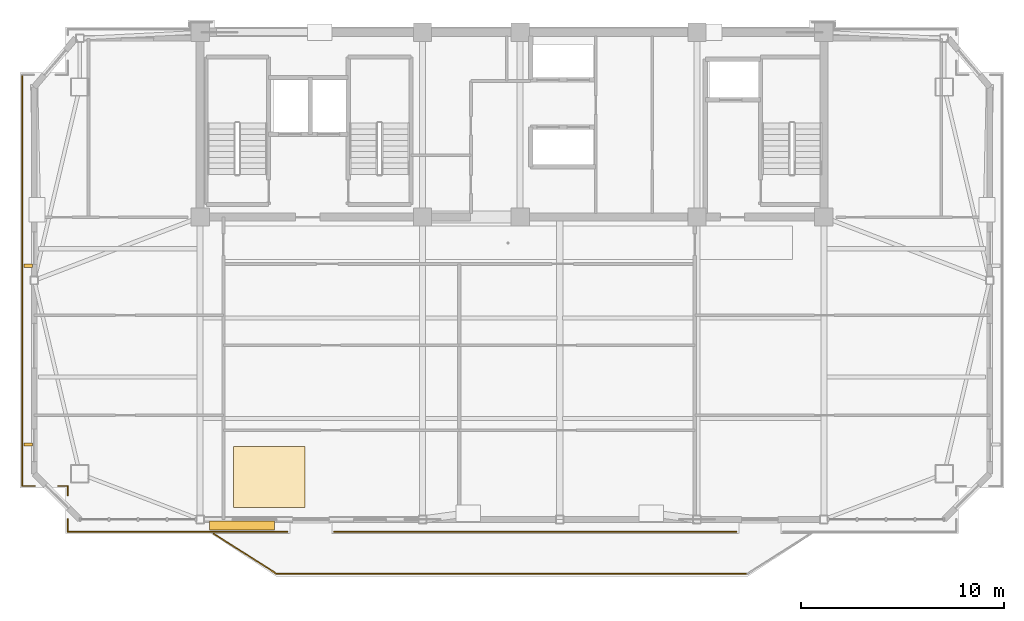
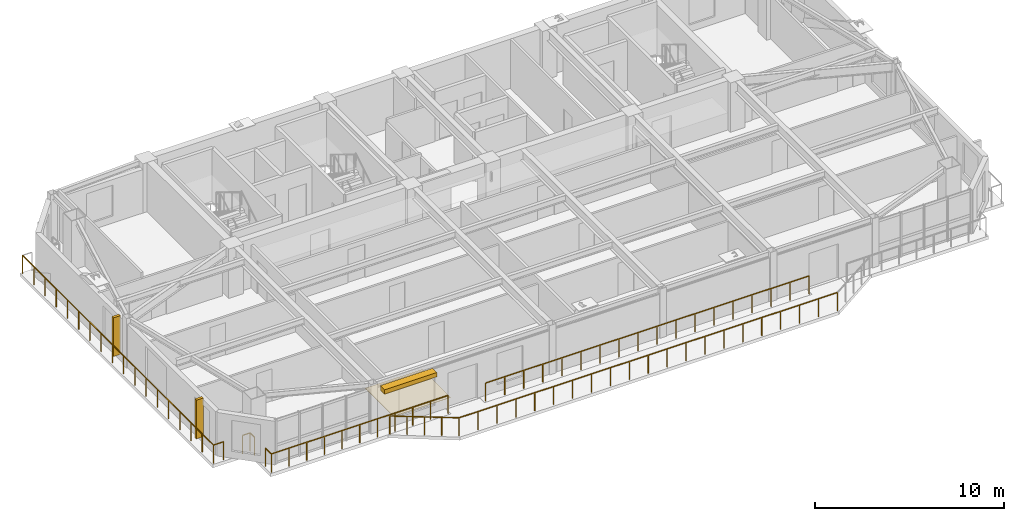
# One storey, part 10 of 13: 9 railings, 3 shading devices, 1 covering.
"""IFC4 building model written with IfcOpenShell, lengths in metres."""

from ifc_helpers import new_model, si_unit, direction, frame, origin, origin_2d, place, context, subcontext, project, spatial, polyline, rectangle, outline, extrude, source, transform, mapped, material, layer, layer_set, type_object, element, save


model = new_model("IFC4")

# Units and contexts
model_context = context("Model", 3, precision=1e-05, world=origin(), true_north=direction((0.0, 1.0)))
body_context = subcontext(model_context, "Body", "Model", "MODEL_VIEW")
ifc_project = project(units=[si_unit("LENGTHUNIT", "METRE"), si_unit("AREAUNIT", "SQUARE_METRE"), si_unit("VOLUMEUNIT", "CUBIC_METRE"), si_unit("PLANEANGLEUNIT", "RADIAN"), si_unit("MASSUNIT", "GRAM", prefix="KILO")], contexts=[model_context])

# Site, building, storey
site_placement = place(None, origin())
site = spatial("IfcSite", under=ifc_project, at=site_placement, CompositionType="ELEMENT")
building_placement = place(site_placement, origin())
building = spatial("IfcBuilding", under=site, at=building_placement, Name="Giltprow Tower", CompositionType="ELEMENT")
storey_placement = place(building_placement, frame((0.0, 0.0, 335.699951171875)))
storey = spatial("IfcBuildingStorey", under=building, at=storey_placement, Name="L87", CompositionType="ELEMENT", Elevation=335.699951171875)

# Covering
ifc_material_1 = material(Name="Engineered oak", Category="wood")
ifc_layer = layer(ifc_material_1, 0.02490234375, Name="Engineered oak")
ifc_layer_set = layer_set([ifc_layer], Name="Engineered oak")
covering_type = type_object("IfcCoveringType", Name="COV-FLR-TIMBER", PredefinedType="FLOORING", material=ifc_layer_set)
covering_placement = place(storey_placement, origin())
element("IfcCovering", 1, at=covering_placement, inside=storey, type_object=covering_type, Name="L87 Residence Oak Parquet Flooring", PredefinedType="FLOORING", context=body_context, shape_type="SweptSolid", body=[
    extrude(outline(polyline([(21.5, 23.16796875), (25.0, 23.16796875), (25.0, 26.16796875), (21.5, 26.16796875), (21.5, 23.16796875)])), origin(), (0.0, 0.0, 1.0), 0.025146484375),
])

# Railings
ifc_material_2 = material(Name="Anodized bronze", Category="metal")
railing_type = type_object("IfcRailingType", Name="RAIL-BALC-GUARD-1200", PredefinedType="BALUSTRADE", material=ifc_material_2)
railing_1_placement = place(storey_placement, frame((20.52001953125, 21.867919921875, 0.0)))
element("IfcRailing", 2, at=railing_1_placement, inside=storey, type_object=railing_type, Name="L87 Waterfront Balcony Balustrade Seg 1", PredefinedType="BALUSTRADE", context=body_context, shape_type="SweptSolid", body=[
    extrude(rectangle(XDim=0.048095703125, YDim=0.048095703125, at=origin_2d()), frame((0.0, 0.0, 1.17578125), z_axis=(0.84277487735, -0.538266203757, 0.0), x_axis=(0.538266203757, 0.84277487735, 0.0)), (0.0, 0.0, 1.0), 3.678466796875),
    extrude(rectangle(XDim=0.0419921875, YDim=0.0419921875, at=origin_2d()), origin(), (0.0, 0.0, 1.0), 1.15185546875),
    extrude(rectangle(XDim=0.0419921875, YDim=0.0419921875, at=origin_2d()), frame((0.77490234375, -0.4951171875, 0.0)), (0.0, 0.0, 1.0), 1.15185546875),
    extrude(rectangle(XDim=0.0419921875, YDim=0.0419921875, at=origin_2d()), frame((1.550048828125, -0.989990234375, 0.0)), (0.0, 0.0, 1.0), 1.15185546875),
    extrude(rectangle(XDim=0.0419921875, YDim=0.0419921875, at=origin_2d()), frame((2.3251953125, -1.48486328125, 0.0)), (0.0, 0.0, 1.0), 1.15185546875),
    extrude(rectangle(XDim=0.0419921875, YDim=0.0419921875, at=origin_2d()), frame((3.10009765625, -1.97998046875, 0.0)), (0.0, 0.0, 1.0), 1.15185546875),
])
railing_2_placement = place(storey_placement, frame((23.6201171875, 19.887939453125, 0.0)))
element("IfcRailing", 3, at=railing_2_placement, inside=storey, type_object=railing_type, Name="L87 Waterfront Balcony Balustrade Seg 2", PredefinedType="BALUSTRADE", context=body_context, shape_type="SweptSolid", body=[
    extrude(rectangle(XDim=0.048095703125, YDim=0.048095703125, at=origin_2d()), frame((0.0, 0.0, 1.17578125), z_axis=(1.0, 0.0, 0.0), x_axis=(0.0, 1.0, 0.0)), (0.0, 0.0, 1.0), 23.159912109375),
    extrude(rectangle(XDim=0.0419921875, YDim=0.0419921875, at=origin_2d()), origin(), (0.0, 0.0, 1.0), 1.15185546875),
    extrude(rectangle(XDim=0.0419921875, YDim=0.0419921875, at=origin_2d()), frame((1.157958984375, 0.0, 0.0)), (0.0, 0.0, 1.0), 1.15185546875),
    extrude(rectangle(XDim=0.0419921875, YDim=0.0419921875, at=origin_2d()), frame((2.31591796875, 0.0, 0.0)), (0.0, 0.0, 1.0), 1.15185546875),
    extrude(rectangle(XDim=0.0419921875, YDim=0.0419921875, at=origin_2d()), frame((3.473876953125, 0.0, 0.0)), (0.0, 0.0, 1.0), 1.15185546875),
    extrude(rectangle(XDim=0.0419921875, YDim=0.0419921875, at=origin_2d()), frame((4.632080078125, 0.0, 0.0)), (0.0, 0.0, 1.0), 1.15185546875),
    extrude(rectangle(XDim=0.0419921875, YDim=0.0419921875, at=origin_2d()), frame((5.7900390625, 0.0, 0.0)), (0.0, 0.0, 1.0), 1.15185546875),
    extrude(rectangle(XDim=0.0419921875, YDim=0.0419921875, at=origin_2d()), frame((6.947998046875, 0.0, 0.0)), (0.0, 0.0, 1.0), 1.15185546875),
    extrude(rectangle(XDim=0.0419921875, YDim=0.0419921875, at=origin_2d()), frame((8.10595703125, 0.0, 0.0)), (0.0, 0.0, 1.0), 1.15185546875),
    extrude(rectangle(XDim=0.0419921875, YDim=0.0419921875, at=origin_2d()), frame((9.263916015625, 0.0, 0.0)), (0.0, 0.0, 1.0), 1.15185546875),
    extrude(rectangle(XDim=0.0419921875, YDim=0.0419921875, at=origin_2d()), frame((10.421875, 0.0, 0.0)), (0.0, 0.0, 1.0), 1.15185546875),
    extrude(rectangle(XDim=0.0419921875, YDim=0.0419921875, at=origin_2d()), frame((11.580078125, 0.0, 0.0)), (0.0, 0.0, 1.0), 1.15185546875),
    extrude(rectangle(XDim=0.0419921875, YDim=0.0419921875, at=origin_2d()), frame((12.738037109375, 0.0, 0.0)), (0.0, 0.0, 1.0), 1.15185546875),
    extrude(rectangle(XDim=0.0419921875, YDim=0.0419921875, at=origin_2d()), frame((13.89599609375, 0.0, 0.0)), (0.0, 0.0, 1.0), 1.15185546875),
    extrude(rectangle(XDim=0.0419921875, YDim=0.0419921875, at=origin_2d()), frame((15.053955078125, 0.0, 0.0)), (0.0, 0.0, 1.0), 1.15185546875),
    extrude(rectangle(XDim=0.0419921875, YDim=0.0419921875, at=origin_2d()), frame((16.2119140625, 0.0, 0.0)), (0.0, 0.0, 1.0), 1.15185546875),
    extrude(rectangle(XDim=0.0419921875, YDim=0.0419921875, at=origin_2d()), frame((17.369873046875, 0.0, 0.0)), (0.0, 0.0, 1.0), 1.15185546875),
    extrude(rectangle(XDim=0.0419921875, YDim=0.0419921875, at=origin_2d()), frame((18.52783203125, 0.0, 0.0)), (0.0, 0.0, 1.0), 1.15185546875),
    extrude(rectangle(XDim=0.0419921875, YDim=0.0419921875, at=origin_2d()), frame((19.68603515625, 0.0, 0.0)), (0.0, 0.0, 1.0), 1.15185546875),
    extrude(rectangle(XDim=0.0419921875, YDim=0.0419921875, at=origin_2d()), frame((20.843994140625, 0.0, 0.0)), (0.0, 0.0, 1.0), 1.15185546875),
    extrude(rectangle(XDim=0.0419921875, YDim=0.0419921875, at=origin_2d()), frame((22.001953125, 0.0, 0.0)), (0.0, 0.0, 1.0), 1.15185546875),
    extrude(rectangle(XDim=0.0419921875, YDim=0.0419921875, at=origin_2d()), frame((23.159912109375, 0.0, 0.0)), (0.0, 0.0, 1.0), 1.15185546875),
])
railing_3_placement = place(storey_placement, frame((46.25, 21.968017578125, 0.0)))
element("IfcRailing", 4, at=railing_3_placement, inside=storey, type_object=railing_type, Name="L87 Corner Apron Edge Balustrade 7", PredefinedType="BALUSTRADE", context=body_context, shape_type="SweptSolid", body=[
    extrude(rectangle(XDim=0.048095703125, YDim=0.048095703125, at=origin_2d()), frame((0.0, 0.0, 1.17578125), z_axis=(-1.0, 0.0, 0.0), x_axis=(0.0, -1.0, 0.0)), (0.0, 0.0, 1.0), 19.800048828125),
    extrude(rectangle(XDim=0.0419921875, YDim=0.0419921875, at=origin_2d()), origin(), (0.0, 0.0, 1.0), 1.15185546875),
    extrude(rectangle(XDim=0.0419921875, YDim=0.0419921875, at=origin_2d()), frame((-1.164794921875, 0.0, 0.0)), (0.0, 0.0, 1.0), 1.15185546875),
    extrude(rectangle(XDim=0.0419921875, YDim=0.0419921875, at=origin_2d()), frame((-2.329345703125, 0.0, 0.0)), (0.0, 0.0, 1.0), 1.15185546875),
    extrude(rectangle(XDim=0.0419921875, YDim=0.0419921875, at=origin_2d()), frame((-3.494140625, 0.0, 0.0)), (0.0, 0.0, 1.0), 1.15185546875),
    extrude(rectangle(XDim=0.0419921875, YDim=0.0419921875, at=origin_2d()), frame((-4.658935546875, 0.0, 0.0)), (0.0, 0.0, 1.0), 1.15185546875),
    extrude(rectangle(XDim=0.0419921875, YDim=0.0419921875, at=origin_2d()), frame((-5.823486328125, 0.0, 0.0)), (0.0, 0.0, 1.0), 1.15185546875),
    extrude(rectangle(XDim=0.0419921875, YDim=0.0419921875, at=origin_2d()), frame((-6.98828125, 0.0, 0.0)), (0.0, 0.0, 1.0), 1.15185546875),
    extrude(rectangle(XDim=0.0419921875, YDim=0.0419921875, at=origin_2d()), frame((-8.153076171875, 0.0, 0.0)), (0.0, 0.0, 1.0), 1.15185546875),
    extrude(rectangle(XDim=0.0419921875, YDim=0.0419921875, at=origin_2d()), frame((-9.317626953125, 0.0, 0.0)), (0.0, 0.0, 1.0), 1.15185546875),
    extrude(rectangle(XDim=0.0419921875, YDim=0.0419921875, at=origin_2d()), frame((-10.482421875, 0.0, 0.0)), (0.0, 0.0, 1.0), 1.15185546875),
    extrude(rectangle(XDim=0.0419921875, YDim=0.0419921875, at=origin_2d()), frame((-11.64697265625, 0.0, 0.0)), (0.0, 0.0, 1.0), 1.15185546875),
    extrude(rectangle(XDim=0.0419921875, YDim=0.0419921875, at=origin_2d()), frame((-12.811767578125, 0.0, 0.0)), (0.0, 0.0, 1.0), 1.15185546875),
    extrude(rectangle(XDim=0.0419921875, YDim=0.0419921875, at=origin_2d()), frame((-13.9765625, 0.0, 0.0)), (0.0, 0.0, 1.0), 1.15185546875),
    extrude(rectangle(XDim=0.0419921875, YDim=0.0419921875, at=origin_2d()), frame((-15.14111328125, 0.0, 0.0)), (0.0, 0.0, 1.0), 1.15185546875),
    extrude(rectangle(XDim=0.0419921875, YDim=0.0419921875, at=origin_2d()), frame((-16.305908203125, 0.0, 0.0)), (0.0, 0.0, 1.0), 1.15185546875),
    extrude(rectangle(XDim=0.0419921875, YDim=0.0419921875, at=origin_2d()), frame((-17.470703125, 0.0, 0.0)), (0.0, 0.0, 1.0), 1.15185546875),
    extrude(rectangle(XDim=0.0419921875, YDim=0.0419921875, at=origin_2d()), frame((-18.63525390625, 0.0, 0.0)), (0.0, 0.0, 1.0), 1.15185546875),
    extrude(rectangle(XDim=0.0419921875, YDim=0.0419921875, at=origin_2d()), frame((-19.800048828125, 0.0, 0.0)), (0.0, 0.0, 1.0), 1.15185546875),
])
railing_4_placement = place(storey_placement, frame((24.14990234375, 21.968017578125, 0.0)))
element("IfcRailing", 5, at=railing_4_placement, inside=storey, type_object=railing_type, Name="L87 Corner Apron Edge Balustrade 8", PredefinedType="BALUSTRADE", context=body_context, shape_type="SweptSolid", body=[
    extrude(rectangle(XDim=0.048095703125, YDim=0.048095703125, at=origin_2d()), frame((0.0, 0.0, 1.17578125), z_axis=(-1.0, 0.0, 0.0), x_axis=(0.0, -1.0, 0.0)), (0.0, 0.0, 1.0), 10.81884765625),
    extrude(rectangle(XDim=0.0419921875, YDim=0.0419921875, at=origin_2d()), origin(), (0.0, 0.0, 1.0), 1.15185546875),
    extrude(rectangle(XDim=0.0419921875, YDim=0.0419921875, at=origin_2d()), frame((-1.081787109375, 0.0, 0.0)), (0.0, 0.0, 1.0), 1.15185546875),
    extrude(rectangle(XDim=0.0419921875, YDim=0.0419921875, at=origin_2d()), frame((-2.163818359375, 0.0, 0.0)), (0.0, 0.0, 1.0), 1.15185546875),
    extrude(rectangle(XDim=0.0419921875, YDim=0.0419921875, at=origin_2d()), frame((-3.24560546875, 0.0, 0.0)), (0.0, 0.0, 1.0), 1.15185546875),
    extrude(rectangle(XDim=0.0419921875, YDim=0.0419921875, at=origin_2d()), frame((-4.32763671875, 0.0, 0.0)), (0.0, 0.0, 1.0), 1.15185546875),
    extrude(rectangle(XDim=0.0419921875, YDim=0.0419921875, at=origin_2d()), frame((-5.409423828125, 0.0, 0.0)), (0.0, 0.0, 1.0), 1.15185546875),
    extrude(rectangle(XDim=0.0419921875, YDim=0.0419921875, at=origin_2d()), frame((-6.4912109375, 0.0, 0.0)), (0.0, 0.0, 1.0), 1.15185546875),
    extrude(rectangle(XDim=0.0419921875, YDim=0.0419921875, at=origin_2d()), frame((-7.5732421875, 0.0, 0.0)), (0.0, 0.0, 1.0), 1.15185546875),
    extrude(rectangle(XDim=0.0419921875, YDim=0.0419921875, at=origin_2d()), frame((-8.655029296875, 0.0, 0.0)), (0.0, 0.0, 1.0), 1.15185546875),
    extrude(rectangle(XDim=0.0419921875, YDim=0.0419921875, at=origin_2d()), frame((-9.737060546875, 0.0, 0.0)), (0.0, 0.0, 1.0), 1.15185546875),
    extrude(rectangle(XDim=0.0419921875, YDim=0.0419921875, at=origin_2d()), frame((-10.81884765625, 0.0, 0.0)), (0.0, 0.0, 1.0), 1.15185546875),
])
railing_5_placement = place(storey_placement, frame((13.3310546875, 21.968017578125, 0.0)))
element("IfcRailing", 6, at=railing_5_placement, inside=storey, type_object=railing_type, Name="L87 Corner Apron Edge Balustrade 9", PredefinedType="BALUSTRADE", context=body_context, shape_type="SweptSolid", body=[
    extrude(rectangle(XDim=0.048095703125, YDim=0.048095703125, at=origin_2d()), frame((0.0, 0.0, 1.17578125), z_axis=(0.0, 1.0, 0.0), x_axis=(-1.0, 0.0, 0.0)), (0.0, 0.0, 1.0), 0.619873046875),
    extrude(rectangle(XDim=0.0419921875, YDim=0.0419921875, at=origin_2d()), origin(), (0.0, 0.0, 1.0), 1.15185546875),
    extrude(rectangle(XDim=0.0419921875, YDim=0.0419921875, at=origin_2d()), frame((0.0, 0.619873046875, 0.0)), (0.0, 0.0, 1.0), 1.15185546875),
])
railing_6_placement = place(storey_placement, frame((13.3310546875, 23.748046875, 0.0)))
element("IfcRailing", 7, at=railing_6_placement, inside=storey, type_object=railing_type, Name="L87 Corner Apron Edge Balustrade 10", PredefinedType="BALUSTRADE", context=body_context, shape_type="SweptSolid", body=[
    extrude(rectangle(XDim=0.048095703125, YDim=0.048095703125, at=origin_2d()), frame((0.0, 0.0, 1.17578125), z_axis=(0.0, 1.0, 0.0), x_axis=(-1.0, 0.0, 0.0)), (0.0, 0.0, 1.0), 0.466064453125),
    extrude(rectangle(XDim=0.0419921875, YDim=0.0419921875, at=origin_2d()), origin(), (0.0, 0.0, 1.0), 1.15185546875),
    extrude(rectangle(XDim=0.0419921875, YDim=0.0419921875, at=origin_2d()), frame((0.0, 0.466064453125, 0.0)), (0.0, 0.0, 1.0), 1.15185546875),
])
railing_7_placement = place(storey_placement, frame((13.3310546875, 24.214111328125, 0.0)))
element("IfcRailing", 8, at=railing_7_placement, inside=storey, type_object=railing_type, Name="L87 Corner Apron Edge Balustrade 11", PredefinedType="BALUSTRADE", context=body_context, shape_type="SweptSolid", body=[
    extrude(rectangle(XDim=0.048095703125, YDim=0.048095703125, at=origin_2d()), frame((0.0, 0.0, 1.17578125), z_axis=(-1.0, 0.0, 0.0), x_axis=(0.0, -1.0, 0.0)), (0.0, 0.0, 1.0), 0.466064453125),
    extrude(rectangle(XDim=0.0419921875, YDim=0.0419921875, at=origin_2d()), origin(), (0.0, 0.0, 1.0), 1.15185546875),
    extrude(rectangle(XDim=0.0419921875, YDim=0.0419921875, at=origin_2d()), frame((-0.466064453125, 0.0, 0.0)), (0.0, 0.0, 1.0), 1.15185546875),
])
railing_8_placement = place(storey_placement, frame((11.705078125, 24.214111328125, 0.0)))
element("IfcRailing", 9, at=railing_8_placement, inside=storey, type_object=railing_type, Name="L87 Corner Apron Edge Balustrade 12", PredefinedType="BALUSTRADE", context=body_context, shape_type="SweptSolid", body=[
    extrude(rectangle(XDim=0.048095703125, YDim=0.048095703125, at=origin_2d()), frame((0.0, 0.0, 1.17578125), z_axis=(-1.0, 0.0, 0.0), x_axis=(0.0, -1.0, 0.0)), (0.0, 0.0, 1.0), 0.6201171875),
    extrude(rectangle(XDim=0.0419921875, YDim=0.0419921875, at=origin_2d()), origin(), (0.0, 0.0, 1.0), 1.15185546875),
    extrude(rectangle(XDim=0.0419921875, YDim=0.0419921875, at=origin_2d()), frame((-0.6201171875, 0.0, 0.0)), (0.0, 0.0, 1.0), 1.15185546875),
])
railing_9_placement = place(storey_placement, frame((11.0849609375, 24.214111328125, 0.0)))
element("IfcRailing", 10, at=railing_9_placement, inside=storey, type_object=railing_type, Name="L87 Corner Apron Edge Balustrade 13", PredefinedType="BALUSTRADE", context=body_context, shape_type="SweptSolid", body=[
    extrude(rectangle(XDim=0.048095703125, YDim=0.048095703125, at=origin_2d()), frame((0.0, 0.0, 1.17578125), z_axis=(0.0, 1.0, 0.0), x_axis=(-1.0, 0.0, 0.0)), (0.0, 0.0, 1.0), 20.239990234375),
    extrude(rectangle(XDim=0.0419921875, YDim=0.0419921875, at=origin_2d()), origin(), (0.0, 0.0, 1.0), 1.15185546875),
    extrude(rectangle(XDim=0.0419921875, YDim=0.0419921875, at=origin_2d()), frame((0.0, 1.190673828125, 0.0)), (0.0, 0.0, 1.0), 1.15185546875),
    extrude(rectangle(XDim=0.0419921875, YDim=0.0419921875, at=origin_2d()), frame((0.0, 2.381103515625, 0.0)), (0.0, 0.0, 1.0), 1.15185546875),
    extrude(rectangle(XDim=0.0419921875, YDim=0.0419921875, at=origin_2d()), frame((0.0, 3.57177734375, 0.0)), (0.0, 0.0, 1.0), 1.15185546875),
    extrude(rectangle(XDim=0.0419921875, YDim=0.0419921875, at=origin_2d()), frame((0.0, 4.762451171875, 0.0)), (0.0, 0.0, 1.0), 1.15185546875),
    extrude(rectangle(XDim=0.0419921875, YDim=0.0419921875, at=origin_2d()), frame((0.0, 5.952880859375, 0.0)), (0.0, 0.0, 1.0), 1.15185546875),
    extrude(rectangle(XDim=0.0419921875, YDim=0.0419921875, at=origin_2d()), frame((0.0, 7.1435546875, 0.0)), (0.0, 0.0, 1.0), 1.15185546875),
    extrude(rectangle(XDim=0.0419921875, YDim=0.0419921875, at=origin_2d()), frame((0.0, 8.334228515625, 0.0)), (0.0, 0.0, 1.0), 1.15185546875),
    extrude(rectangle(XDim=0.0419921875, YDim=0.0419921875, at=origin_2d()), frame((0.0, 9.524658203125, 0.0)), (0.0, 0.0, 1.0), 1.15185546875),
    extrude(rectangle(XDim=0.0419921875, YDim=0.0419921875, at=origin_2d()), frame((0.0, 10.71533203125, 0.0)), (0.0, 0.0, 1.0), 1.15185546875),
    extrude(rectangle(XDim=0.0419921875, YDim=0.0419921875, at=origin_2d()), frame((0.0, 11.90576171875, 0.0)), (0.0, 0.0, 1.0), 1.15185546875),
    extrude(rectangle(XDim=0.0419921875, YDim=0.0419921875, at=origin_2d()), frame((0.0, 13.096435546875, 0.0)), (0.0, 0.0, 1.0), 1.15185546875),
    extrude(rectangle(XDim=0.0419921875, YDim=0.0419921875, at=origin_2d()), frame((0.0, 14.287109375, 0.0)), (0.0, 0.0, 1.0), 1.15185546875),
    extrude(rectangle(XDim=0.0419921875, YDim=0.0419921875, at=origin_2d()), frame((0.0, 15.4775390625, 0.0)), (0.0, 0.0, 1.0), 1.15185546875),
    extrude(rectangle(XDim=0.0419921875, YDim=0.0419921875, at=origin_2d()), frame((0.0, 16.668212890625, 0.0)), (0.0, 0.0, 1.0), 1.15185546875),
    extrude(rectangle(XDim=0.0419921875, YDim=0.0419921875, at=origin_2d()), frame((0.0, 17.85888671875, 0.0)), (0.0, 0.0, 1.0), 1.15185546875),
    extrude(rectangle(XDim=0.0419921875, YDim=0.0419921875, at=origin_2d()), frame((0.0, 19.04931640625, 0.0)), (0.0, 0.0, 1.0), 1.15185546875),
    extrude(rectangle(XDim=0.0419921875, YDim=0.0419921875, at=origin_2d()), frame((0.0, 20.239990234375, 0.0)), (0.0, 0.0, 1.0), 1.15185546875),
])

# Shading devices
shading_device_type_1 = type_object("IfcShadingDeviceType", Name="SHD-FIN-420", PredefinedType="USERDEFINED", material=ifc_material_2)
shared_shape_1 = source(origin(), body_context, "Body", "SweptSolid", [
    extrude(rectangle(XDim=0.419921875, YDim=0.159912109375, at=origin_2d()), origin(), (0.0, 0.0, 1.0), 2.5),
])
for number, where, z_axis, x_axis, name in (
    (11, (11.385009765625, 26.257080078125, 0.35009765625), (0.0, 0.0, 1.0), (1.0, 0.0, 0.0), "L87 W Bronze Vertical Fin 1-1"),
    (12, (11.385009765625, 35.049072265625, 0.35009765625), (0.0, 0.0, 1.0), (1.0, 0.0, 0.0), "L87 W Bronze Vertical Fin 2-1"),
):
    element("IfcShadingDevice", number, at=place(storey_placement, frame(where, z_axis=z_axis, x_axis=x_axis)), inside=storey, type_object=shading_device_type_1, Name=name, ObjectType="FIN", PredefinedType="USERDEFINED", context=body_context, shape_type="MappedRepresentation", body=[
        mapped(shared_shape_1, transform((0.0, 0.0, 0.0), x_axis=(1.0, 0.0, 0.0), y_axis=(0.0, 1.0, 0.0), z_axis=(0.0, 0.0, 1.0), scale=1.0)),
    ])
shading_device_type_2 = type_object("IfcShadingDeviceType", Name="SHD-LOUVRE-320", PredefinedType="JALOUSIE", material=ifc_material_2)
shared_shape_2 = source(origin(), body_context, "Body", "SweptSolid", [
    extrude(rectangle(XDim=3.199951171875, YDim=0.449951171875, at=origin_2d()), origin(), (0.0, 0.0, 1.0), 0.280029296875),
])
shading_device_placement = place(storey_placement, frame((21.89990234375, 22.26806640625, 2.56005859375), z_axis=(0.0, 0.0, 1.0), x_axis=(1.0, 0.0, 0.0)))
element("IfcShadingDevice", 13, at=shading_device_placement, inside=storey, type_object=shading_device_type_2, Name="L87 Bronze Sunshade Louvre S-2", PredefinedType="JALOUSIE", context=body_context, shape_type="MappedRepresentation", body=[
    mapped(shared_shape_2, transform((0.0, 0.0, 0.0), x_axis=(1.0, 0.0, 0.0), y_axis=(0.0, 1.0, 0.0), z_axis=(0.0, 0.0, 1.0), scale=1.0)),
])

save(model, "model.ifc")
